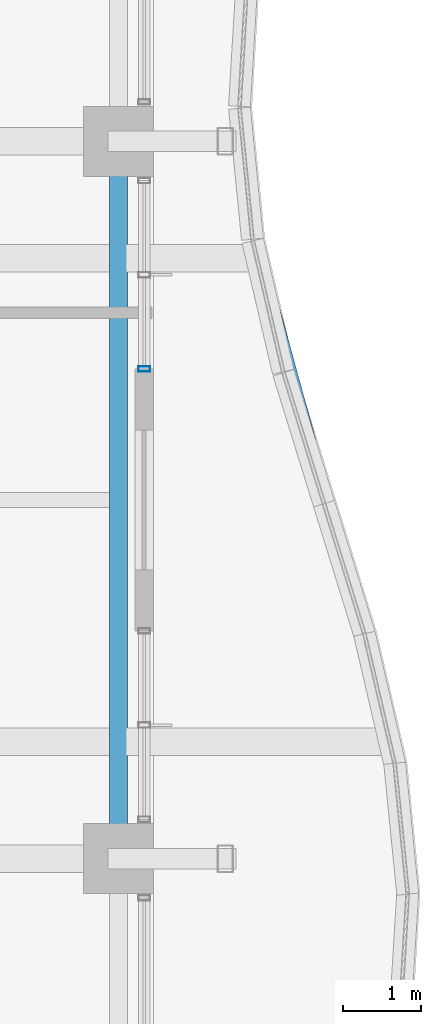
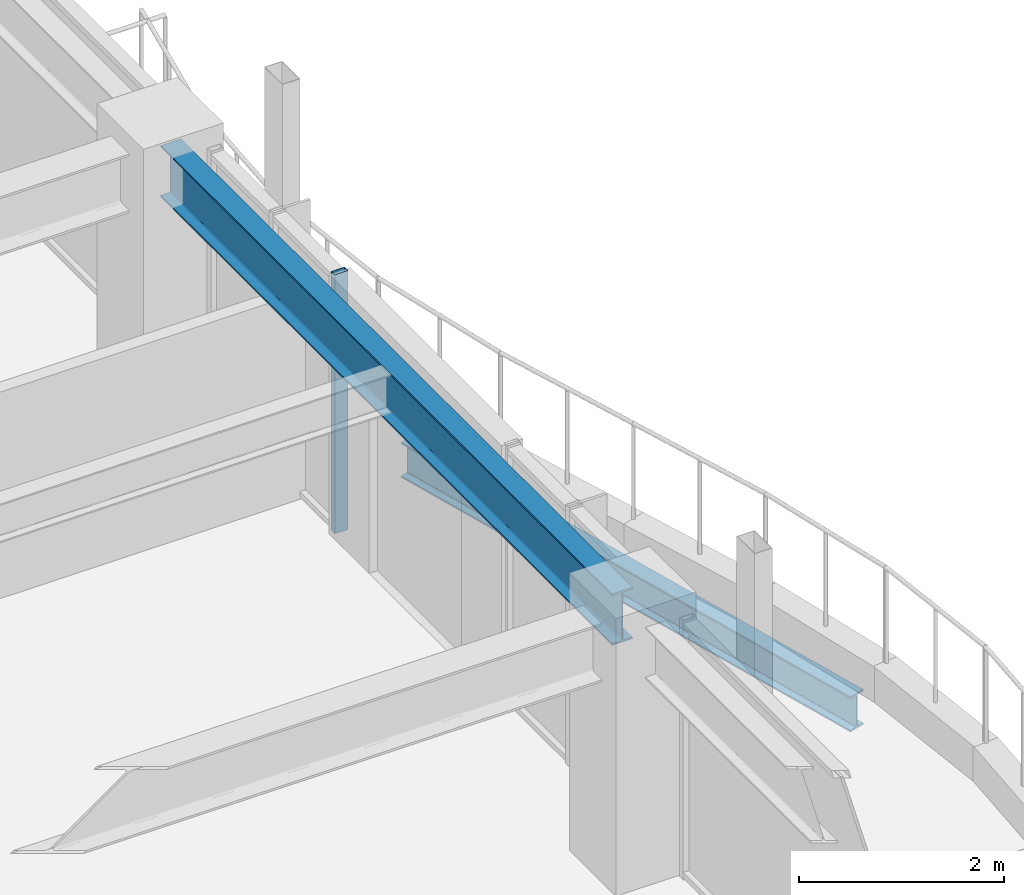
# One storey, part 14 of 35: 2 beams, 1 member, 1 element without a shape of its own.
"""IFC4 building model written with IfcOpenShell, lengths in metres."""

from ifc_helpers import new_model, si_unit, direction, frame, origin, origin_2d, place, context, subcontext, project, spatial, hollow_rectangle, i_section, extrude, material, material_profile, profile_set, type_object, element, aggregate, save


model = new_model("IFC4")

# Units and contexts
model_context = context("Model", 3, precision=1e-05, world=origin(), true_north=direction((0.0, 1.0)))
body_context = subcontext(model_context, "Body", "Model", "MODEL_VIEW")
ifc_project = project(units=[si_unit("LENGTHUNIT", "METRE"), si_unit("AREAUNIT", "SQUARE_METRE"), si_unit("VOLUMEUNIT", "CUBIC_METRE"), si_unit("PLANEANGLEUNIT", "RADIAN"), si_unit("MASSUNIT", "GRAM", prefix="KILO")], contexts=[model_context])

# Site, building, storey
site_placement = place(None, origin())
site = spatial("IfcSite", under=ifc_project, at=site_placement, CompositionType="ELEMENT")
building_placement = place(site_placement, origin())
building = spatial("IfcBuilding", under=site, at=building_placement, Name="Kolvaren Belvedere", CompositionType="ELEMENT")
storey_placement = place(building_placement, frame((0.0, 0.0, 183.300048828125)))
storey = spatial("IfcBuildingStorey", under=building, at=storey_placement, Name="L53", CompositionType="ELEMENT", Elevation=183.300048828125)

# Beams
ifc_material_1 = material(Name="Structural steel ASTM A992 Grade 50", Category="steel")
ifc_material_profile_1 = material_profile(ifc_material_1, i_section(OverallWidth=0.180908203125, OverallDepth=0.4169921875, WebThickness=0.010986328125, FlangeThickness=0.018310546875, FilletRadius=0.013916015625, at=origin_2d()), Name="W16X57")
ifc_profile_set_1 = profile_set([ifc_material_profile_1], Name="Structural steel ASTM A992 Grade 50")
beam_type_1 = type_object("IfcBeamType", Name="BM-EDGE-W16X57", PredefinedType="BEAM", material=ifc_profile_set_1)
beam_1_placement = place(storey_placement, frame((23.414306640625, -2.965087890625, -0.428466796875), z_axis=(-0.26479660726, 0.964304286407, 0.0), x_axis=(-0.964304286407, -0.26479660726, 0.0)))
element("IfcBeam", 1, at=beam_1_placement, inside=storey, type_object=beam_type_1, Name="L53 Balcony Tip Header Beam BAL-E", PredefinedType="BEAM", context=body_context, shape_type="SweptSolid", body=[
    extrude(i_section(OverallWidth=0.180908203125, OverallDepth=0.4169921875, WebThickness=0.010986328125, FlangeThickness=0.018310546875, FilletRadius=0.013916015625, at=origin_2d()), origin(), (0.0, 0.0, 1.0), 6.149658203125),
])
ifc_material_2 = material(Name="Structural steel ASTM A992 Grade 50", Category="steel")
ifc_material_profile_2 = material_profile(ifc_material_2, i_section(OverallWidth=0.22900390625, OverallDepth=0.612060546875, WebThickness=0.011962890625, FlangeThickness=0.01953125, FilletRadius=0.01806640625, at=origin_2d()), Name="W24X84")
ifc_profile_set_2 = profile_set([ifc_material_profile_2], Name="Structural steel ASTM A992 Grade 50")
beam_type_2 = type_object("IfcBeamType", Name="BM-SPAN-W24X84", PredefinedType="SPANDREL", material=ifc_profile_set_2)
beam_2_placement = place(storey_placement, frame((19.949951171875, -4.3974609375, 2.77392578125), z_axis=(0.0, 1.0, 0.0), x_axis=(-1.0, 0.0, 0.0)))
element("IfcBeam", 2, at=beam_2_placement, inside=storey, type_object=beam_type_2, Name="L53 Perimeter Spandrel E2-E3", PredefinedType="SPANDREL", context=body_context, shape_type="SweptSolid", body=[
    extrude(i_section(OverallWidth=0.22900390625, OverallDepth=0.612060546875, WebThickness=0.011962890625, FlangeThickness=0.01953125, FilletRadius=0.01806640625, at=origin_2d()), origin(), (0.0, 0.0, 1.0), 8.794921875),
])

# Curtain wall, member
ifc_material_3 = material(Name="Anodised pale-metal aluminium AA 6063-T6", Category="aluminium")
curtain_wall_type = type_object("IfcCurtainWallType", Name="CW-Z5-HIGH", PredefinedType="NOTDEFINED", material=ifc_material_3)
curtain_wall_placement = place(storey_placement, origin())
curtain_wall = element("IfcCurtainWall", 3, at=curtain_wall_placement, inside=storey, type_object=curtain_wall_type, Name="L53 Unitised Curtain Wall FCW-L53-E1-B2", PredefinedType="NOTDEFINED")
ifc_material_4 = material(Name="Anodised pale-metal aluminium AA 6063-T6", Category="aluminium")
ifc_material_profile_3 = material_profile(ifc_material_4, hollow_rectangle(XDim=0.070068359375, YDim=0.14990234375, WallThickness=0.004150390625, at=origin_2d()), Name="ALU-MUL-150X70")
ifc_profile_set_3 = profile_set([ifc_material_profile_3], Name="Anodised pale-metal aluminium AA 6063-T6")
member_type = type_object("IfcMemberType", Name="CW-MUL-150", PredefinedType="MULLION", material=ifc_profile_set_3)
member_placement = place(storey_placement, frame((20.280029296875, 1.679931640625, 0.0), z_axis=(0.0, 0.0, 1.0), x_axis=(0.0, 1.0, 0.0)))
member = element("IfcMember", 4, at=member_placement, type_object=member_type, Name="FCW-L53-E1-B2 Unitised Mullion 3", PredefinedType="MULLION", context=body_context, shape_type="SweptSolid", body=[
    extrude(hollow_rectangle(XDim=0.070068359375, YDim=0.14990234375, WallThickness=0.004150390625, at=origin_2d()), origin(), (0.0, 0.0, 1.0), 3.079833984375),
])
aggregate(curtain_wall, [member])

save(model, "model.ifc")
